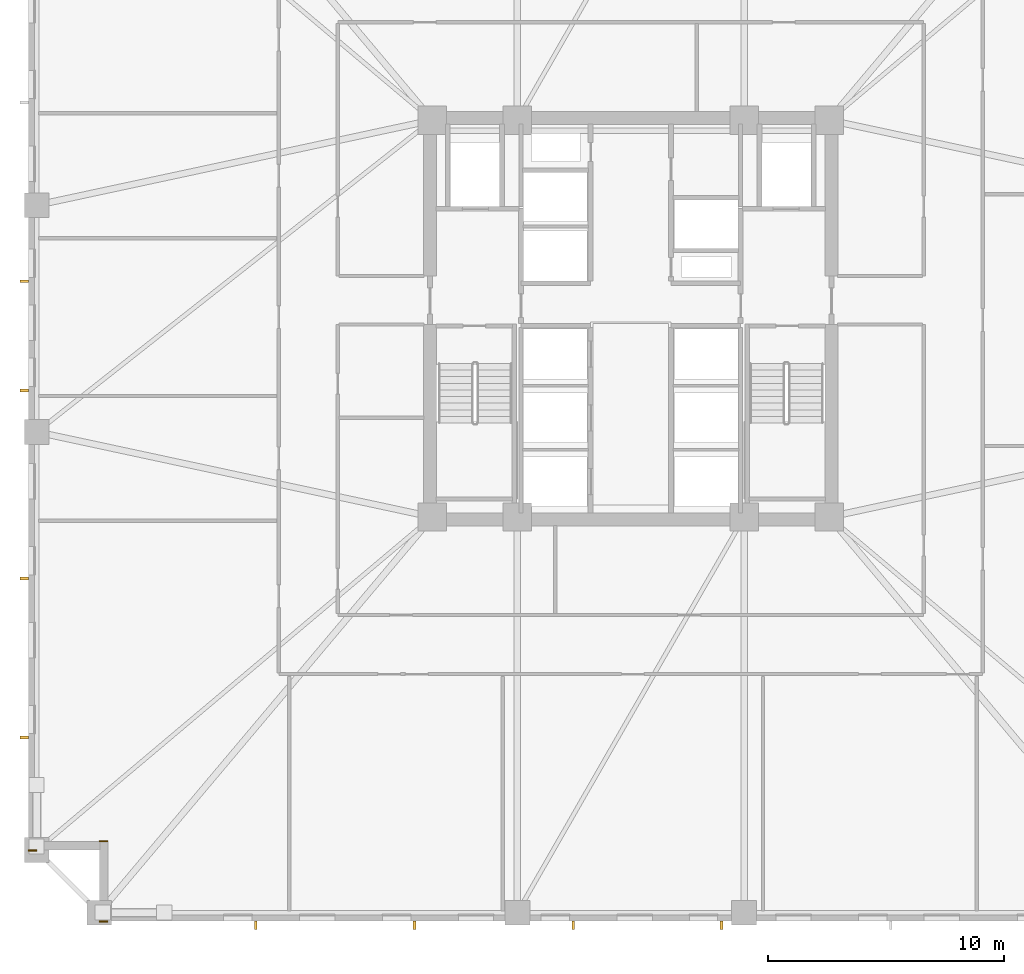
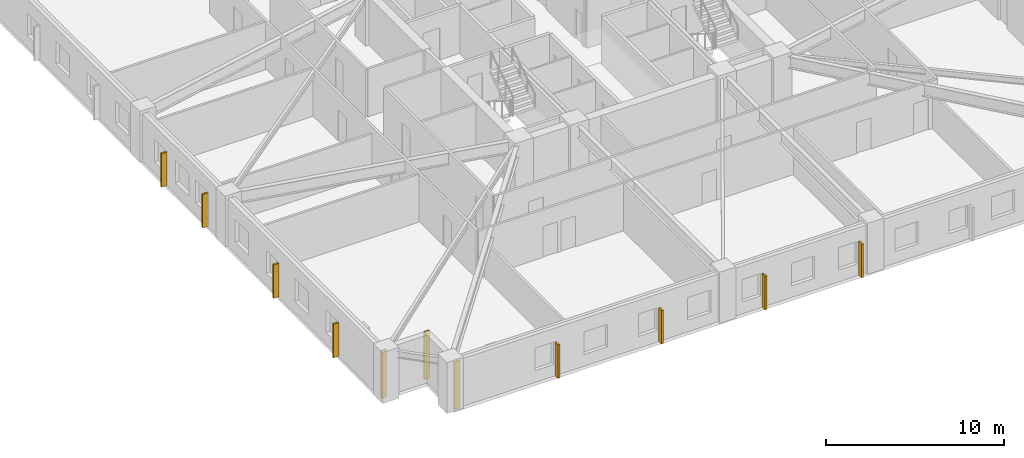
# One storey, part 7 of 11: 8 shading devices, 3 coverings.
"""IFC4 building model written with IfcOpenShell, lengths in metres."""

from ifc_helpers import new_model, si_unit, direction, frame, frame_2d, origin, origin_2d, place, context, subcontext, project, spatial, rectangle, extrude, material, layer, layer_set, type_object, element, save


model = new_model("IFC4")

# Units and contexts
model_context = context("Model", 3, precision=1e-05, world=origin(), true_north=direction((0.0, 1.0)))
body_context = subcontext(model_context, "Body", "Model", "MODEL_VIEW")
ifc_project = project(units=[si_unit("LENGTHUNIT", "METRE"), si_unit("AREAUNIT", "SQUARE_METRE"), si_unit("VOLUMEUNIT", "CUBIC_METRE"), si_unit("PLANEANGLEUNIT", "RADIAN"), si_unit("MASSUNIT", "GRAM", prefix="KILO")], contexts=[model_context])

# Site, building, storey
site_placement = place(None, origin())
site = spatial("IfcSite", under=ifc_project, at=site_placement, CompositionType="ELEMENT")
building_placement = place(site_placement, origin())
building = spatial("IfcBuilding", under=site, at=building_placement, Name="Cairnveth Concourse Tower", CompositionType="ELEMENT")
storey_placement = place(building_placement, frame((0.0, 0.0, 62.0)))
storey = spatial("IfcBuildingStorey", under=building, at=storey_placement, Name="L16", CompositionType="ELEMENT", Elevation=62.0)

# Coverings
ifc_material_1 = material(Name="Dressed Melbourne Bluestone Cladding", Category="masonry")
ifc_layer = layer(ifc_material_1, 0.050048828125)
ifc_layer_set = layer_set([ifc_layer], Name="Dressed Melbourne Bluestone Cladding")
covering_type = type_object("IfcCoveringType", Name="DRESSED BLUESTONE PLINTH CLADDING 50", PredefinedType="CLADDING", material=ifc_layer_set)
for number, where, z_axis, x_axis, name in (
    (1, (29.860107421875, 13.47998046875, 0.0), (0.0, 0.0, 1.0), (-1.0, 0.0, 0.0), "Melbourne Bluestone Corner Quoin L16-203"),
    (2, (29.860107421875, 16.8798828125, 0.0), (0.0, 0.0, 1.0), (-1.0, 0.0, 0.0), "Melbourne Bluestone Corner Quoin L16-204"),
    (3, (26.860107421875, 16.47998046875, 0.0), (0.0, 0.0, 1.0), (-1.0, 0.0, 0.0), "Melbourne Bluestone Corner Quoin L16-205"),
):
    element("IfcCovering", number, at=place(storey_placement, frame(where, z_axis=z_axis, x_axis=x_axis)), inside=storey, type_object=covering_type, Name=name, PredefinedType="CLADDING", context=body_context, shape_type="SweptSolid", body=[
        extrude(rectangle(XDim=0.360107421875, YDim=0.050048828125, at=frame_2d((0.18017578125, 0.0))), origin(), (0.0, 0.0, 1.0), 3.280029296875),
    ])

# Shading devices
ifc_material_2 = material(Name="Architectural Bronze Anodised Aluminium 6063-T6", Category="aluminium")
shading_device_type = type_object("IfcShadingDeviceType", Name="GOTHIC BRONZE VERTICAL LANCET FIN", PredefinedType="USERDEFINED", material=ifc_material_2)
for number, where, z_axis, x_axis, name in (
    (4, (55.839111328125, 13.324951171875, 0.02978515625), (0.0, 0.0, 1.0), (1.0, 0.0, 0.0), "Gothic Bronze Vertical Fin L16-3-5"),
    (5, (49.56884765625, 13.324951171875, 0.02978515625), (0.0, 0.0, 1.0), (1.0, 0.0, 0.0), "Gothic Bronze Vertical Fin L16-3-7"),
    (6, (42.848388671875, 13.324951171875, 0.02978515625), (0.0, 0.0, 1.0), (1.0, 0.0, 0.0), "Gothic Bronze Vertical Fin L16-3-9"),
    (7, (36.128173828125, 13.324951171875, 0.02978515625), (0.0, 0.0, 1.0), (1.0, 0.0, 0.0), "Gothic Bronze Vertical Fin L16-3-11"),
    (8, (26.324951171875, 21.27001953125, 0.02978515625), (0.0, 0.0, 1.0), (0.0, 1.0, 0.0), "Gothic Bronze Vertical Fin L16-6-1"),
    (9, (26.324951171875, 27.990478515625, 0.02978515625), (0.0, 0.0, 1.0), (0.0, 1.0, 0.0), "Gothic Bronze Vertical Fin L16-6-3"),
    (10, (26.324951171875, 35.960693359375, 0.02978515625), (0.0, 0.0, 1.0), (0.0, 1.0, 0.0), "Gothic Bronze Vertical Fin L16-6-5"),
    (11, (26.324951171875, 40.581298828125, 0.02978515625), (0.0, 0.0, 1.0), (0.0, 1.0, 0.0), "Gothic Bronze Vertical Fin L16-6-7"),
):
    element("IfcShadingDevice", number, at=place(storey_placement, frame(where, z_axis=z_axis, x_axis=x_axis)), inside=storey, type_object=shading_device_type, Name=name, ObjectType="VERTICAL FIN", PredefinedType="USERDEFINED", context=body_context, shape_type="SweptSolid", body=[
        extrude(rectangle(XDim=0.1201171875, YDim=0.360107421875, at=origin_2d()), origin(), (0.0, 0.0, 1.0), 2.303955078125),
    ])

save(model, "model.ifc")
